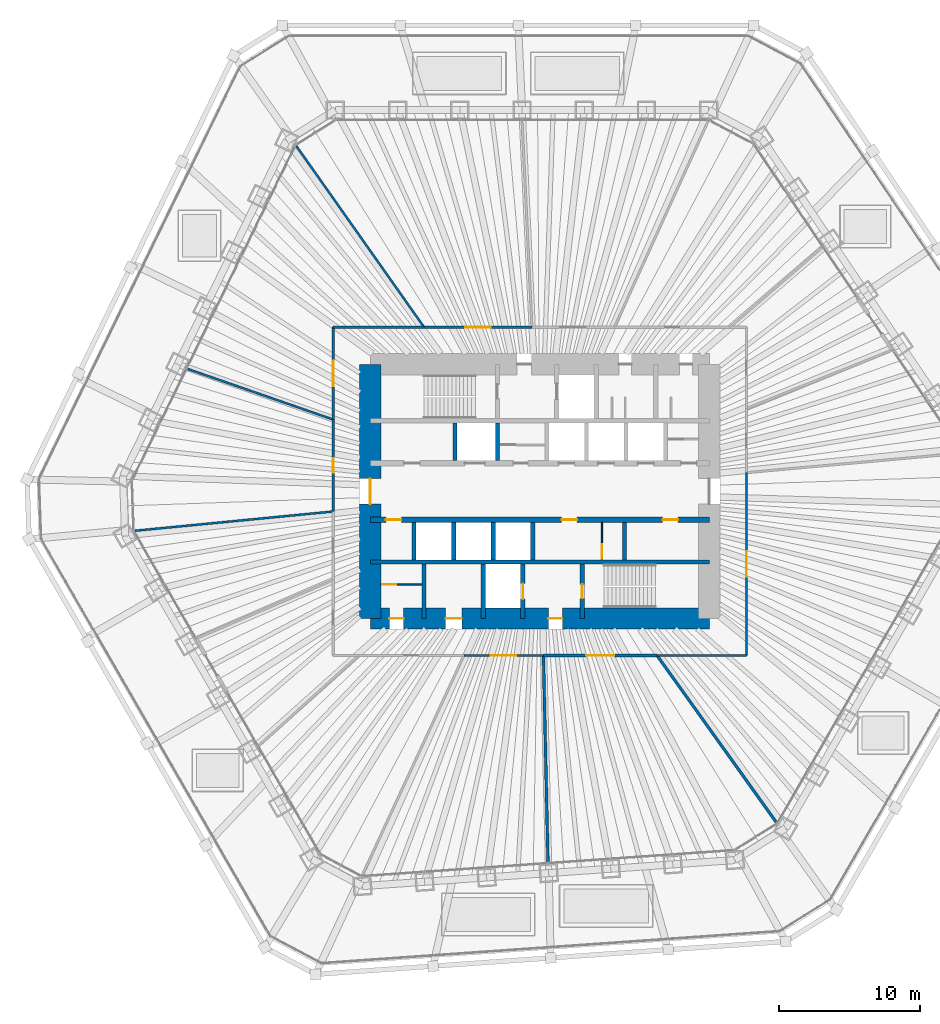
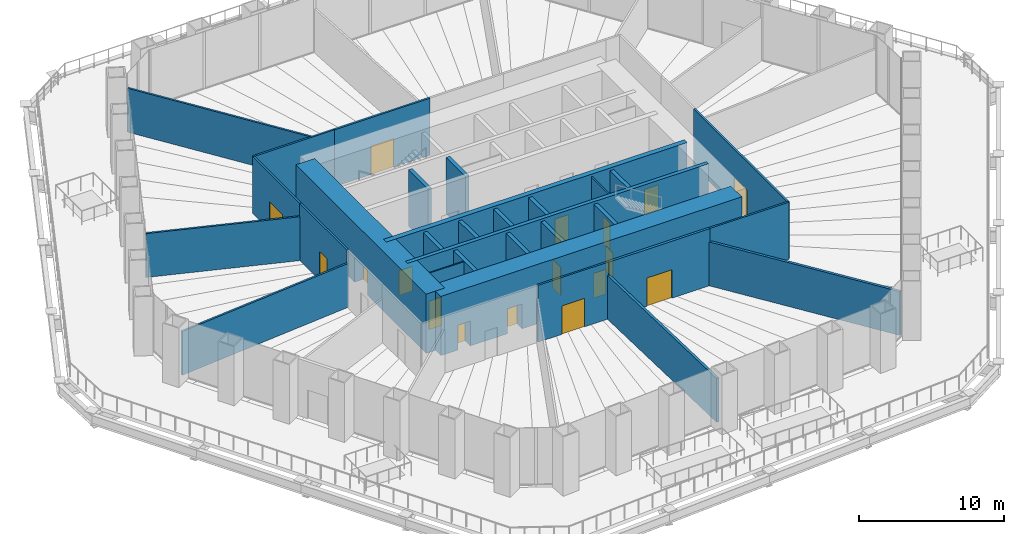
# One storey, part 15 of 20: 30 walls, 17 doors, 17 openings.
"""IFC4 building model written with IfcOpenShell, lengths in metres."""

from ifc_helpers import new_model, si_unit, direction, frame, frame_2d, origin, place, context, subcontext, project, spatial, rectangle, extrude, material, layer, layer_set, type_object, element, fill, save


model = new_model("IFC4")

# Units and contexts
model_context = context("Model", 3, precision=1e-05, world=origin(), true_north=direction((0.0, 1.0)))
body_context = subcontext(model_context, "Body", "Model", "MODEL_VIEW")
ifc_project = project(units=[si_unit("LENGTHUNIT", "METRE"), si_unit("AREAUNIT", "SQUARE_METRE"), si_unit("VOLUMEUNIT", "CUBIC_METRE"), si_unit("PLANEANGLEUNIT", "RADIAN"), si_unit("MASSUNIT", "GRAM", prefix="KILO")], contexts=[model_context])

# Site, building, storey
site_placement = place(None, origin())
site = spatial("IfcSite", under=ifc_project, at=site_placement, CompositionType="ELEMENT")
building_placement = place(site_placement, origin())
building = spatial("IfcBuilding", under=site, at=building_placement, Name="Qingtian Harvest Tower", CompositionType="ELEMENT")
storey_placement = place(building_placement, frame((0.0, 0.0, 17.0)))
storey = spatial("IfcBuildingStorey", under=building, at=storey_placement, Name="L03", CompositionType="ELEMENT", Elevation=17.0)

# Wall
ifc_material_1 = material(Name="Concrete fc' 70 MPa", Category="concrete")
ifc_layer_1 = layer(ifc_material_1, 0.300048828125)
ifc_layer_set_1 = layer_set([ifc_layer_1], Name="Core inner wall RC5 300")
wall_type_1 = type_object("IfcWallType", Name="Core inner wall RC5 300", PredefinedType="SHEAR", material=ifc_layer_set_1)
wall_1_placement = place(storey_placement, frame((-12.0, -5.0, 0.0), z_axis=(0.0, 0.0, 1.0), x_axis=(1.0, 0.0, 0.0)))
element("IfcWall", 1, at=wall_1_placement, inside=storey, type_object=wall_type_1, Name="Core wall IS5 L03", PredefinedType="SHEAR", context=body_context, shape_type="SweptSolid", body=[
    extrude(rectangle(XDim=24.0, YDim=0.300048828125, at=frame_2d((12.0, 0.0))), origin(), (0.0, 0.0, 1.0), 5.0),
])

# Wall, openings, doors
ifc_material_2 = material(Name="Concrete fc' 70 MPa", Category="concrete")
ifc_layer_2 = layer(ifc_material_2, 0.39990234375)
ifc_layer_set_2 = layer_set([ifc_layer_2], Name="Core inner web RC6 400")
wall_type_2 = type_object("IfcWallType", Name="Core inner web RC6 400", PredefinedType="SHEAR", material=ifc_layer_set_2)
wall_2_placement = place(storey_placement, frame((-12.0, -2.0, 0.0), z_axis=(0.0, 0.0, 1.0), x_axis=(1.0, 0.0, 0.0)))
wall_2 = element("IfcWall", 2, at=wall_2_placement, inside=storey, type_object=wall_type_2, Name="Core wall IS2 L03", PredefinedType="SHEAR", context=body_context, shape_type="SweptSolid", body=[
    extrude(rectangle(XDim=24.0, YDim=0.39990234375, at=frame_2d((12.0, 0.0))), origin(), (0.0, 0.0, 1.0), 5.0),
])
opening_1_placement = place(wall_2_placement, frame((1.10009765625, 0.0, 0.0)))
opening_1 = element("IfcOpeningElement", 3, at=opening_1_placement, cuts=wall_2, Name="Opening FD4", PredefinedType="OPENING", context=body_context, shape_type="SweptSolid", body=[
    extrude(rectangle(XDim=1.10009765625, YDim=2.10009765625, at=frame_2d((0.550048828125, 1.050048828125))), frame((0.0, 0.2099609375, 0.0), z_axis=(0.0, -1.0, 0.0), x_axis=(1.0, 0.0, 0.0)), (0.0, 0.0, 1.0), 0.419921875),
])
opening_2_placement = place(wall_2_placement, frame((13.550048828125, 0.0, 0.0)))
opening_2 = element("IfcOpeningElement", 4, at=opening_2_placement, cuts=wall_2, Name="Opening FD4", PredefinedType="OPENING", context=body_context, shape_type="SweptSolid", body=[
    extrude(rectangle(XDim=1.10009765625, YDim=2.10009765625, at=frame_2d((0.550048828125, 1.050048828125))), frame((0.0, 0.2099609375, 0.0), z_axis=(0.0, -1.0, 0.0), x_axis=(1.0, 0.0, 0.0)), (0.0, 0.0, 1.0), 0.419921875),
])
opening_3_placement = place(wall_2_placement, frame((20.699951171875, 0.0, 0.0)))
opening_3 = element("IfcOpeningElement", 5, at=opening_3_placement, cuts=wall_2, Name="Opening FD4", PredefinedType="OPENING", context=body_context, shape_type="SweptSolid", body=[
    extrude(rectangle(XDim=1.10009765625, YDim=2.10009765625, at=frame_2d((0.550048828125, 1.050048828125))), frame((0.0, 0.2099609375, 0.0), z_axis=(0.0, -1.0, 0.0), x_axis=(1.0, 0.0, 0.0)), (0.0, 0.0, 1.0), 0.419921875),
])
ifc_material_3 = material(Name="Steel-faced door leaf", Category="steel")
door_type_1 = type_object("IfcDoorType", Name="Fire door FD4 single 2 HR", OperationType="SINGLE_SWING_LEFT", PredefinedType="DOOR", material=ifc_material_3)
door_1_placement = place(opening_1_placement, origin())
door_1 = element("IfcDoor", 6, at=door_1_placement, inside=storey, type_object=door_type_1, Name="RB door L03", OperationType="SINGLE_SWING_LEFT", OverallHeight=2.10009765625, OverallWidth=1.10009765625, PredefinedType="DOOR", context=body_context, shape_type="SweptSolid", body=[
    extrude(rectangle(XDim=1.10009765625, YDim=2.10009765625, at=frame_2d((0.550048828125, 1.050048828125))), frame((0.0, 0.02490234375, 0.0), z_axis=(0.0, -1.0, 0.0), x_axis=(1.0, 0.0, 0.0)), (0.0, 0.0, 1.0), 0.050048828125),
])
fill(opening_1, door_1)
door_2_placement = place(opening_2_placement, origin())
door_2 = element("IfcDoor", 7, at=door_2_placement, inside=storey, type_object=door_type_1, Name="ELEC door L03", OperationType="SINGLE_SWING_RIGHT", OverallHeight=2.10009765625, OverallWidth=1.10009765625, PredefinedType="DOOR", context=body_context, shape_type="SweptSolid", body=[
    extrude(rectangle(XDim=1.10009765625, YDim=2.10009765625, at=frame_2d((0.550048828125, 1.050048828125))), frame((0.0, 0.02490234375, 0.0), z_axis=(0.0, -1.0, 0.0), x_axis=(1.0, 0.0, 0.0)), (0.0, 0.0, 1.0), 0.050048828125),
])
fill(opening_2, door_2)
door_3_placement = place(opening_3_placement, origin())
door_3 = element("IfcDoor", 8, at=door_3_placement, inside=storey, type_object=door_type_1, Name="DUCT door L03", OperationType="SINGLE_SWING_LEFT", OverallHeight=2.10009765625, OverallWidth=1.10009765625, PredefinedType="DOOR", context=body_context, shape_type="SweptSolid", body=[
    extrude(rectangle(XDim=1.10009765625, YDim=2.10009765625, at=frame_2d((0.550048828125, 1.050048828125))), frame((0.0, 0.02490234375, 0.0), z_axis=(0.0, -1.0, 0.0), x_axis=(1.0, 0.0, 0.0)), (0.0, 0.0, 1.0), 0.050048828125),
])
fill(opening_3, door_3)

# Walls
ifc_material_4 = material(Name="Precast concrete shaft panel", Category="concrete")
ifc_layer_3 = layer(ifc_material_4, 0.300048828125)
ifc_layer_set_3 = layer_set([ifc_layer_3], Name="Core shaft partition SW1 300")
wall_type_3 = type_object("IfcWallType", Name="Core shaft partition SW1 300", PredefinedType="PARTITIONING", material=ifc_layer_set_3)
for number, where, z_axis, x_axis, name in (
    (9, (-6.0, 2.199951171875, 0.0), (0.0, 0.0, 1.0), (0.0, 1.0, 0.0), "Core shaft partition XA1 L03"),
    (10, (-3.0, 2.199951171875, 0.0), (0.0, 0.0, 1.0), (0.0, 1.0, 0.0), "Core shaft partition XA2 L03"),
    (11, (-8.89990234375, -4.85009765625, 0.0), (0.0, 0.0, 1.0), (0.0, 1.0, 0.0), "Core shaft partition XB1 L03"),
    (12, (-6.10009765625, -4.85009765625, 0.0), (0.0, 0.0, 1.0), (0.0, 1.0, 0.0), "Core shaft partition XB2 L03"),
    (13, (-3.300048828125, -4.85009765625, 0.0), (0.0, 0.0, 1.0), (0.0, 1.0, 0.0), "Core shaft partition XB3 L03"),
    (14, (-0.5, -4.85009765625, 0.0), (0.0, 0.0, 1.0), (0.0, 1.0, 0.0), "Core shaft partition XB4 L03"),
    (15, (6.0, -4.85009765625, 0.0), (0.0, 0.0, 1.0), (0.0, 1.0, 0.0), "Core shaft partition XB5 L03"),
):
    element("IfcWall", number, at=place(storey_placement, frame(where, z_axis=z_axis, x_axis=x_axis)), inside=storey, type_object=wall_type_3, Name=name, PredefinedType="PARTITIONING", context=body_context, shape_type="SweptSolid", body=[
        extrude(rectangle(XDim=2.650146484375, YDim=0.300048828125, at=frame_2d((1.3251953125, 0.0))), origin(), (0.0, 0.0, 1.0), 4.780029296875),
    ])
for number, where, z_axis, x_axis, name in (
    (16, (-8.199951171875, -9.0, 0.0), (0.0, 0.0, 1.0), (0.0, 1.0, 0.0), "Core shaft partition XS1 L03"),
    (17, (-4.0, -9.0, 0.0), (0.0, 0.0, 1.0), (0.0, 1.0, 0.0), "Core shaft partition XS2 L03"),
):
    element("IfcWall", number, at=place(storey_placement, frame(where, z_axis=z_axis, x_axis=x_axis)), inside=storey, type_object=wall_type_3, Name=name, PredefinedType="PARTITIONING", context=body_context, shape_type="SweptSolid", body=[
        extrude(rectangle(XDim=3.85009765625, YDim=0.300048828125, at=frame_2d((1.925048828125, 0.0))), origin(), (0.0, 0.0, 1.0), 4.780029296875),
    ])

# Wall, opening, door
wall_3_placement = place(storey_placement, frame((-1.199951171875, -9.0, 0.0), z_axis=(0.0, 0.0, 1.0), x_axis=(0.0, 1.0, 0.0)))
wall_3 = element("IfcWall", 18, at=wall_3_placement, inside=storey, type_object=wall_type_3, Name="Core shaft partition XS3 L03", PredefinedType="PARTITIONING", context=body_context, shape_type="SweptSolid", body=[
    extrude(rectangle(XDim=3.85009765625, YDim=0.300048828125, at=frame_2d((1.925048828125, 0.0))), origin(), (0.0, 0.0, 1.0), 4.780029296875),
])
opening_4_placement = place(wall_3_placement, frame((1.375, 0.0, 0.0)))
opening_4 = element("IfcOpeningElement", 19, at=opening_4_placement, cuts=wall_3, Name="Opening LD1", PredefinedType="OPENING", context=body_context, shape_type="SweptSolid", body=[
    extrude(rectangle(XDim=1.10009765625, YDim=2.39990234375, at=frame_2d((0.550048828125, 1.199951171875))), frame((0.0, 0.159912109375, 0.0), z_axis=(0.0, -1.0, 0.0), x_axis=(1.0, 0.0, 0.0)), (0.0, 0.0, 1.0), 0.320068359375),
])
ifc_material_5 = material(Name="Stainless steel lift landing door", Category="steel")
door_type_2 = type_object("IfcDoorType", Name="Lift landing door LD1 1 HR", OperationType="DOUBLE_DOOR_SLIDING", PredefinedType="DOOR", material=ifc_material_5)
door_4_placement = place(opening_4_placement, origin())
door_4 = element("IfcDoor", 20, at=door_4_placement, inside=storey, type_object=door_type_2, Name="FL2 landing door L03", OperationType="DOUBLE_DOOR_SLIDING", OverallHeight=2.39990234375, OverallWidth=1.10009765625, PredefinedType="DOOR", context=body_context, shape_type="SweptSolid", body=[
    extrude(rectangle(XDim=1.10009765625, YDim=2.39990234375, at=frame_2d((0.550048828125, 1.199951171875))), frame((0.0, 0.02490234375, 0.0), z_axis=(0.0, -1.0, 0.0), x_axis=(1.0, 0.0, 0.0)), (0.0, 0.0, 1.0), 0.050048828125),
])
fill(opening_4, door_4)

wall_4_placement = place(storey_placement, frame((3.0, -9.0, 0.0), z_axis=(0.0, 0.0, 1.0), x_axis=(0.0, 1.0, 0.0)))
wall_4 = element("IfcWall", 21, at=wall_4_placement, inside=storey, type_object=wall_type_3, Name="Core shaft partition XS4 L03", PredefinedType="PARTITIONING", context=body_context, shape_type="SweptSolid", body=[
    extrude(rectangle(XDim=3.85009765625, YDim=0.300048828125, at=frame_2d((1.925048828125, 0.0))), origin(), (0.0, 0.0, 1.0), 4.780029296875),
])
opening_5_placement = place(wall_4_placement, frame((1.425048828125, 0.0, 0.0)))
opening_5 = element("IfcOpeningElement", 22, at=opening_5_placement, cuts=wall_4, Name="Opening FD1", PredefinedType="OPENING", context=body_context, shape_type="SweptSolid", body=[
    extrude(rectangle(XDim=1.0, YDim=2.10009765625, at=frame_2d((0.5, 1.050048828125))), frame((0.0, 0.159912109375, 0.0), z_axis=(0.0, -1.0, 0.0), x_axis=(1.0, 0.0, 0.0)), (0.0, 0.0, 1.0), 0.320068359375),
])
ifc_material_6 = material(Name="Steel-faced door leaf", Category="steel")
door_type_3 = type_object("IfcDoorType", Name="Fire door FD1 single 1 HR", OperationType="SINGLE_SWING_LEFT", PredefinedType="DOOR", material=ifc_material_6)
door_5_placement = place(opening_5_placement, origin())
door_5 = element("IfcDoor", 23, at=door_5_placement, inside=storey, type_object=door_type_3, Name="S2 door L03", OperationType="SINGLE_SWING_LEFT", OverallHeight=2.10009765625, OverallWidth=1.0, PredefinedType="DOOR", context=body_context, shape_type="SweptSolid", body=[
    extrude(rectangle(XDim=1.0, YDim=2.10009765625, at=frame_2d((0.5, 1.050048828125))), frame((0.0, 0.02490234375, 0.0), z_axis=(0.0, -1.0, 0.0), x_axis=(1.0, 0.0, 0.0)), (0.0, 0.0, 1.0), 0.050048828125),
])
fill(opening_5, door_5)

# Wall, openings, doors
ifc_material_7 = material(Name="Concrete fc' 70 MPa", Category="concrete")
ifc_layer_4 = layer(ifc_material_7, 1.5)
ifc_layer_set_4 = layer_set([ifc_layer_4], Name="Core wall RC1 1500")
wall_type_4 = type_object("IfcWallType", Name="Core wall RC1 1500", PredefinedType="SHEAR", material=ifc_layer_set_4)
wall_5_placement = place(storey_placement, frame((-12.0, -9.0, 0.0), z_axis=(0.0, 0.0, 1.0), x_axis=(1.0, 0.0, 0.0)))
wall_5 = element("IfcWall", 24, at=wall_5_placement, inside=storey, type_object=wall_type_4, Name="Core wall CS L03", PredefinedType="SHEAR", context=body_context, shape_type="SweptSolid", body=[
    extrude(rectangle(XDim=24.0, YDim=1.5, at=frame_2d((12.0, 0.0))), origin(), (0.0, 0.0, 1.0), 5.0),
])
opening_6_placement = place(wall_5_placement, frame((1.35009765625, 0.0, 0.0)))
opening_6 = element("IfcOpeningElement", 25, at=opening_6_placement, cuts=wall_5, Name="Opening FD1", PredefinedType="OPENING", context=body_context, shape_type="SweptSolid", body=[
    extrude(rectangle(XDim=1.0, YDim=2.10009765625, at=frame_2d((0.5, 1.050048828125))), frame((0.0, 0.760009765625, 0.0), z_axis=(0.0, -1.0, 0.0), x_axis=(1.0, 0.0, 0.0)), (0.0, 0.0, 1.0), 1.52001953125),
])
opening_7_placement = place(wall_5_placement, frame((5.324951171875, 0.0, 0.0)))
opening_7 = element("IfcOpeningElement", 26, at=opening_7_placement, cuts=wall_5, Name="Opening AD1", PredefinedType="OPENING", context=body_context, shape_type="SweptSolid", body=[
    extrude(rectangle(XDim=1.14990234375, YDim=2.10009765625, at=frame_2d((0.574951171875, 1.050048828125))), frame((0.0, 0.760009765625, 0.0), z_axis=(0.0, -1.0, 0.0), x_axis=(1.0, 0.0, 0.0)), (0.0, 0.0, 1.0), 1.52001953125),
])
opening_8_placement = place(wall_5_placement, frame((12.60009765625, 0.0, 0.0)))
opening_8 = element("IfcOpeningElement", 27, at=opening_8_placement, cuts=wall_5, Name="Opening FD1", PredefinedType="OPENING", context=body_context, shape_type="SweptSolid", body=[
    extrude(rectangle(XDim=1.0, YDim=2.10009765625, at=frame_2d((0.5, 1.050048828125))), frame((0.0, 0.760009765625, 0.0), z_axis=(0.0, -1.0, 0.0), x_axis=(1.0, 0.0, 0.0)), (0.0, 0.0, 1.0), 1.52001953125),
])
ifc_material_8 = material(Name="Laminated timber door leaf", Category="wood")
door_type_4 = type_object("IfcDoorType", Name="Accessible WC door AD1 single", OperationType="SINGLE_SWING_LEFT", PredefinedType="DOOR", material=ifc_material_8)
door_6_placement = place(opening_7_placement, origin())
door_6 = element("IfcDoor", 28, at=door_6_placement, inside=storey, type_object=door_type_4, Name="AWC door L03", OperationType="SINGLE_SWING_RIGHT", OverallHeight=2.10009765625, OverallWidth=1.14990234375, PredefinedType="DOOR", context=body_context, shape_type="SweptSolid", body=[
    extrude(rectangle(XDim=1.14990234375, YDim=2.10009765625, at=frame_2d((0.574951171875, 1.050048828125))), frame((0.0, 0.02490234375, 0.0), z_axis=(0.0, -1.0, 0.0), x_axis=(1.0, 0.0, 0.0)), (0.0, 0.0, 1.0), 0.050048828125),
])
fill(opening_7, door_6)
door_7_placement = place(opening_6_placement, origin())
door_7 = element("IfcDoor", 29, at=door_7_placement, inside=storey, type_object=door_type_3, Name="CLN door L03", OperationType="SINGLE_SWING_LEFT", OverallHeight=2.10009765625, OverallWidth=1.0, PredefinedType="DOOR", context=body_context, shape_type="SweptSolid", body=[
    extrude(rectangle(XDim=1.0, YDim=2.10009765625, at=frame_2d((0.5, 1.050048828125))), frame((0.0, 0.02490234375, 0.0), z_axis=(0.0, -1.0, 0.0), x_axis=(1.0, 0.0, 0.0)), (0.0, 0.0, 1.0), 0.050048828125),
])
fill(opening_6, door_7)
door_8_placement = place(opening_8_placement, origin())
door_8 = element("IfcDoor", 30, at=door_8_placement, inside=storey, type_object=door_type_3, Name="V2 door L03", OperationType="SINGLE_SWING_RIGHT", OverallHeight=2.10009765625, OverallWidth=1.0, PredefinedType="DOOR", context=body_context, shape_type="SweptSolid", body=[
    extrude(rectangle(XDim=1.0, YDim=2.10009765625, at=frame_2d((0.5, 1.050048828125))), frame((0.0, 0.02490234375, 0.0), z_axis=(0.0, -1.0, 0.0), x_axis=(1.0, 0.0, 0.0)), (0.0, 0.0, 1.0), 0.050048828125),
])
fill(opening_8, door_8)

# Wall, opening, door
wall_6_placement = place(storey_placement, frame((-12.0, -9.0, 0.0), z_axis=(0.0, 0.0, 1.0), x_axis=(0.0, 1.0, 0.0)))
wall_6 = element("IfcWall", 31, at=wall_6_placement, inside=storey, type_object=wall_type_4, Name="Core wall CW L03", PredefinedType="SHEAR", context=body_context, shape_type="SweptSolid", body=[
    extrude(rectangle(XDim=18.0, YDim=1.5, at=frame_2d((9.0, 0.0))), origin(), (0.0, 0.0, 1.0), 5.0),
])
opening_9_placement = place(wall_6_placement, frame((8.10009765625, 0.0, 0.0)))
opening_9 = element("IfcOpeningElement", 32, at=opening_9_placement, cuts=wall_6, Name="Opening FD2", PredefinedType="OPENING", context=body_context, shape_type="SweptSolid", body=[
    extrude(rectangle(XDim=1.800048828125, YDim=2.10009765625, at=frame_2d((0.89990234375, 1.050048828125))), frame((0.0, 0.760009765625, 0.0), z_axis=(0.0, -1.0, 0.0), x_axis=(1.0, 0.0, 0.0)), (0.0, 0.0, 1.0), 1.52001953125),
])
ifc_material_9 = material(Name="Steel-faced door leaf", Category="steel")
door_type_5 = type_object("IfcDoorType", Name="Fire door FD2 double 1 HR", OperationType="DOUBLE_DOOR_DOUBLE_SWING", PredefinedType="DOOR", material=ifc_material_9)
door_9_placement = place(opening_9_placement, origin())
door_9 = element("IfcDoor", 33, at=door_9_placement, inside=storey, type_object=door_type_5, Name="LOBBY-W door L03", OperationType="DOUBLE_DOOR_DOUBLE_SWING", OverallHeight=2.10009765625, OverallWidth=1.800048828125, PredefinedType="DOOR", context=body_context, shape_type="SweptSolid", body=[
    extrude(rectangle(XDim=1.800048828125, YDim=2.10009765625, at=frame_2d((0.89990234375, 1.050048828125))), frame((0.0, 0.02490234375, 0.0), z_axis=(0.0, -1.0, 0.0), x_axis=(1.0, 0.0, 0.0)), (0.0, 0.0, 1.0), 0.050048828125),
])
fill(opening_9, door_9)

# Wall
ifc_material_10 = material(Name="Blockwork fire wall", Category="masonry")
ifc_layer_5 = layer(ifc_material_10, 0.199951171875)
ifc_layer_set_5 = layer_set([ifc_layer_5], Name="Fire partition FW1 200")
wall_type_5 = type_object("IfcWallType", Name="Fire partition FW1 200", PredefinedType="PARTITIONING", material=ifc_layer_set_5)
wall_7_placement = place(storey_placement, frame((16.740234375, -23.423095703125, 0.0), z_axis=(0.0, 0.0, 1.0), x_axis=(-0.581451576506, 0.813581012671, 0.0)))
element("IfcWall", 34, at=wall_7_placement, inside=storey, type_object=wall_type_5, Name="Cold room wall L03", PredefinedType="PARTITIONING", context=body_context, shape_type="SweptSolid", body=[
    extrude(rectangle(XDim=14.50146484375, YDim=0.199951171875, at=frame_2d((7.250732421875, 0.0))), origin(), (0.0, 0.0, 1.0), 3.699951171875),
])

# Wall, opening, door
wall_8_placement = place(storey_placement, frame((8.308349609375, -11.625, 0.0), z_axis=(0.0, 0.0, 1.0), x_axis=(-1.0, 0.0, 0.0)))
wall_8 = element("IfcWall", 35, at=wall_8_placement, inside=storey, type_object=wall_type_5, Name="Cold room wall L03", PredefinedType="PARTITIONING", context=body_context, shape_type="SweptSolid", body=[
    extrude(rectangle(XDim=8.05224609375, YDim=0.199951171875, at=frame_2d((4.026123046875, 0.0))), origin(), (0.0, 0.0, 1.0), 4.800048828125),
])
opening_10_placement = place(wall_8_placement, frame((3.026123046875, 0.0, 0.0)))
opening_10 = element("IfcOpeningElement", 36, at=opening_10_placement, cuts=wall_8, Name="Opening FD3", PredefinedType="OPENING", context=body_context, shape_type="SweptSolid", body=[
    extrude(rectangle(XDim=2.0, YDim=2.39990234375, at=frame_2d((1.0, 1.199951171875))), frame((0.0, 0.10986328125, 0.0), z_axis=(0.0, -1.0, 0.0), x_axis=(1.0, 0.0, 0.0)), (0.0, 0.0, 1.0), 0.219970703125),
])
ifc_material_11 = material(Name="Steel-faced door leaf", Category="steel")
door_type_6 = type_object("IfcDoorType", Name="Fire door FD3 double 2 HR", OperationType="DOUBLE_DOOR_DOUBLE_SWING", PredefinedType="DOOR", material=ifc_material_11)
door_10_placement = place(opening_10_placement, origin())
door_10 = element("IfcDoor", 37, at=door_10_placement, inside=storey, type_object=door_type_6, Name="Cold room door L03", OperationType="DOUBLE_DOOR_DOUBLE_SWING", OverallHeight=2.39990234375, OverallWidth=2.0, PredefinedType="DOOR", context=body_context, shape_type="SweptSolid", body=[
    extrude(rectangle(XDim=2.0, YDim=2.39990234375, at=frame_2d((1.0, 1.199951171875))), frame((0.0, 0.02490234375, 0.0), z_axis=(0.0, -1.0, 0.0), x_axis=(1.0, 0.0, 0.0)), (0.0, 0.0, 1.0), 0.050048828125),
])
fill(opening_10, door_10)

# Walls
wall_9_placement = place(storey_placement, frame((0.577880859375, -26.2236328125, 0.0), z_axis=(0.0, 0.0, 1.0), x_axis=(-0.02203625582, 0.999757172232, 0.0)))
element("IfcWall", 38, at=wall_9_placement, inside=storey, type_object=wall_type_5, Name="Produce market wall L03", PredefinedType="PARTITIONING", context=body_context, shape_type="SweptSolid", body=[
    extrude(rectangle(XDim=14.602294921875, YDim=0.199951171875, at=frame_2d((7.30126953125, 0.0))), origin(), (0.0, 0.0, 1.0), 3.699951171875),
])
ifc_material_12 = material(Name="Gypsum board on steel studs", Category="steel")
ifc_layer_6 = layer(ifc_material_12, 0.14990234375)
ifc_layer_set_6 = layer_set([ifc_layer_6], Name="Partition PT1 150")
wall_type_6 = type_object("IfcWallType", Name="Partition PT1 150", PredefinedType="PARTITIONING", material=ifc_layer_set_6)
wall_10_placement = place(storey_placement, frame((-17.23681640625, 24.454345703125, 0.0), z_axis=(0.0, 0.0, 1.0), x_axis=(0.576128572739, -0.817359081233, 0.0)))
element("IfcWall", 39, at=wall_10_placement, inside=storey, type_object=wall_type_6, Name="Farm shop wall L03", PredefinedType="PARTITIONING", context=body_context, shape_type="SweptSolid", body=[
    extrude(rectangle(XDim=15.696044921875, YDim=0.14990234375, at=frame_2d((7.84814453125, 0.0))), origin(), (0.0, 0.0, 1.0), 3.699951171875),
])

# Wall, opening, door
wall_11_placement = place(storey_placement, frame((-8.19384765625, 11.625, 0.0), z_axis=(0.0, 0.0, 1.0), x_axis=(1.0, 0.0, 0.0)))
wall_11 = element("IfcWall", 40, at=wall_11_placement, inside=storey, type_object=wall_type_6, Name="Farm shop wall L03", PredefinedType="PARTITIONING", context=body_context, shape_type="SweptSolid", body=[
    extrude(rectangle(XDim=7.637939453125, YDim=0.14990234375, at=frame_2d((3.81884765625, 0.0))), origin(), (0.0, 0.0, 1.0), 4.800048828125),
])
opening_11_placement = place(wall_11_placement, frame((2.9189453125, 0.0, 0.0)))
opening_11 = element("IfcOpeningElement", 41, at=opening_11_placement, cuts=wall_11, Name="Opening D3", PredefinedType="OPENING", context=body_context, shape_type="SweptSolid", body=[
    extrude(rectangle(XDim=1.800048828125, YDim=2.39990234375, at=frame_2d((0.89990234375, 1.199951171875))), frame((0.0, 0.0849609375, 0.0), z_axis=(0.0, -1.0, 0.0), x_axis=(1.0, 0.0, 0.0)), (0.0, 0.0, 1.0), 0.169921875),
])
ifc_material_13 = material(Name="Laminated timber door leaf", Category="wood")
door_type_7 = type_object("IfcDoorType", Name="Room door D3 double", OperationType="DOUBLE_DOOR_DOUBLE_SWING", PredefinedType="DOOR", material=ifc_material_13)
door_11_placement = place(opening_11_placement, origin())
door_11 = element("IfcDoor", 42, at=door_11_placement, inside=storey, type_object=door_type_7, Name="Farm shop door L03", OperationType="DOUBLE_DOOR_DOUBLE_SWING", OverallHeight=2.39990234375, OverallWidth=1.800048828125, PredefinedType="DOOR", context=body_context, shape_type="SweptSolid", body=[
    extrude(rectangle(XDim=1.800048828125, YDim=2.39990234375, at=frame_2d((0.89990234375, 1.199951171875))), frame((0.0, 0.02490234375, 0.0), z_axis=(0.0, -1.0, 0.0), x_axis=(1.0, 0.0, 0.0)), (0.0, 0.0, 1.0), 0.050048828125),
])
fill(opening_11, door_11)

wall_12_placement = place(storey_placement, frame((14.625, 1.325439453125, 0.0), z_axis=(0.0, 0.0, 1.0), x_axis=(0.0, -1.0, 0.0)))
wall_12 = element("IfcWall", 43, at=wall_12_placement, inside=storey, type_object=wall_type_6, Name="Packing room wall L03", PredefinedType="PARTITIONING", context=body_context, shape_type="SweptSolid", body=[
    extrude(rectangle(XDim=12.950439453125, YDim=0.14990234375, at=frame_2d((6.47509765625, 0.0))), origin(), (0.0, 0.0, 1.0), 4.800048828125),
])
opening_12_placement = place(wall_12_placement, frame((5.5751953125, 0.0, 0.0)))
opening_12 = element("IfcOpeningElement", 44, at=opening_12_placement, cuts=wall_12, Name="Opening D3", PredefinedType="OPENING", context=body_context, shape_type="SweptSolid", body=[
    extrude(rectangle(XDim=1.800048828125, YDim=2.39990234375, at=frame_2d((0.89990234375, 1.199951171875))), frame((0.0, 0.0849609375, 0.0), z_axis=(0.0, -1.0, 0.0), x_axis=(1.0, 0.0, 0.0)), (0.0, 0.0, 1.0), 0.169921875),
])
door_12_placement = place(opening_12_placement, origin())
door_12 = element("IfcDoor", 45, at=door_12_placement, inside=storey, type_object=door_type_7, Name="Packing room door L03", OperationType="DOUBLE_DOOR_DOUBLE_SWING", OverallHeight=2.39990234375, OverallWidth=1.800048828125, PredefinedType="DOOR", context=body_context, shape_type="SweptSolid", body=[
    extrude(rectangle(XDim=1.800048828125, YDim=2.39990234375, at=frame_2d((0.89990234375, 1.199951171875))), frame((0.0, 0.02490234375, 0.0), z_axis=(0.0, -1.0, 0.0), x_axis=(1.0, 0.0, 0.0)), (0.0, 0.0, 1.0), 0.050048828125),
])
fill(opening_12, door_12)

# Wall
wall_13_placement = place(storey_placement, frame((14.625, -11.625, 0.0), z_axis=(0.0, 0.0, 1.0), x_axis=(-1.0, 0.0, 0.0)))
element("IfcWall", 46, at=wall_13_placement, inside=storey, type_object=wall_type_6, Name="Packing room wall L03", PredefinedType="PARTITIONING", context=body_context, shape_type="SweptSolid", body=[
    extrude(rectangle(XDim=6.316650390625, YDim=0.14990234375, at=frame_2d((3.158203125, 0.0))), origin(), (0.0, 0.0, 1.0), 4.800048828125),
])

# Wall, opening, door
wall_14_placement = place(storey_placement, frame((0.256103515625, -11.625, 0.0), z_axis=(0.0, 0.0, 1.0), x_axis=(-1.0, 0.0, 0.0)))
wall_14 = element("IfcWall", 47, at=wall_14_placement, inside=storey, type_object=wall_type_6, Name="Produce market wall L03", PredefinedType="PARTITIONING", context=body_context, shape_type="SweptSolid", body=[
    extrude(rectangle(XDim=5.6328125, YDim=0.14990234375, at=frame_2d((2.81640625, 0.0))), origin(), (0.0, 0.0, 1.0), 4.800048828125),
])
opening_13_placement = place(wall_14_placement, frame((1.91650390625, 0.0, 0.0)))
opening_13 = element("IfcOpeningElement", 48, at=opening_13_placement, cuts=wall_14, Name="Opening D3", PredefinedType="OPENING", context=body_context, shape_type="SweptSolid", body=[
    extrude(rectangle(XDim=1.800048828125, YDim=2.39990234375, at=frame_2d((0.89990234375, 1.199951171875))), frame((0.0, 0.0849609375, 0.0), z_axis=(0.0, -1.0, 0.0), x_axis=(1.0, 0.0, 0.0)), (0.0, 0.0, 1.0), 0.169921875),
])
door_13_placement = place(opening_13_placement, origin())
door_13 = element("IfcDoor", 49, at=door_13_placement, inside=storey, type_object=door_type_7, Name="Produce market door L03", OperationType="DOUBLE_DOOR_DOUBLE_SWING", OverallHeight=2.39990234375, OverallWidth=1.800048828125, PredefinedType="DOOR", context=body_context, shape_type="SweptSolid", body=[
    extrude(rectangle(XDim=1.800048828125, YDim=2.39990234375, at=frame_2d((0.89990234375, 1.199951171875))), frame((0.0, 0.02490234375, 0.0), z_axis=(0.0, -1.0, 0.0), x_axis=(1.0, 0.0, 0.0)), (0.0, 0.0, 1.0), 0.050048828125),
])
fill(opening_13, door_13)

# Wall
wall_15_placement = place(storey_placement, frame((-28.655029296875, -2.785888671875, 0.0), z_axis=(0.0, 0.0, 1.0), x_axis=(0.995307277605, 0.096764782571, 0.0)))
element("IfcWall", 50, at=wall_15_placement, inside=storey, type_object=wall_type_6, Name="Gowning room wall L03", PredefinedType="PARTITIONING", context=body_context, shape_type="SweptSolid", body=[
    extrude(rectangle(XDim=14.09619140625, YDim=0.14990234375, at=frame_2d((7.048095703125, 0.0))), origin(), (0.0, 0.0, 1.0), 3.699951171875),
])

# Wall, opening, door
wall_16_placement = place(storey_placement, frame((-14.625, -1.421875, 0.0), z_axis=(0.0, 0.0, 1.0), x_axis=(0.0, 1.0, 0.0)))
wall_16 = element("IfcWall", 51, at=wall_16_placement, inside=storey, type_object=wall_type_6, Name="Gowning room wall L03", PredefinedType="PARTITIONING", context=body_context, shape_type="SweptSolid", body=[
    extrude(rectangle(XDim=6.508056640625, YDim=0.14990234375, at=frame_2d((3.25390625, 0.0))), origin(), (0.0, 0.0, 1.0), 4.800048828125),
])
opening_14_placement = place(wall_16_placement, frame((2.754150390625, 0.0, 0.0)))
opening_14 = element("IfcOpeningElement", 52, at=opening_14_placement, cuts=wall_16, Name="Opening D2", PredefinedType="OPENING", context=body_context, shape_type="SweptSolid", body=[
    extrude(rectangle(XDim=1.0, YDim=2.39990234375, at=frame_2d((0.5, 1.199951171875))), frame((0.0, 0.0849609375, 0.0), z_axis=(0.0, -1.0, 0.0), x_axis=(1.0, 0.0, 0.0)), (0.0, 0.0, 1.0), 0.169921875),
])
ifc_material_14 = material(Name="Laminated timber door leaf", Category="wood")
door_type_8 = type_object("IfcDoorType", Name="Room door D2 single", OperationType="SINGLE_SWING_LEFT", PredefinedType="DOOR", material=ifc_material_14)
door_14_placement = place(opening_14_placement, origin())
door_14 = element("IfcDoor", 53, at=door_14_placement, inside=storey, type_object=door_type_8, Name="Gowning room door L03", OperationType="SINGLE_SWING_RIGHT", OverallHeight=2.39990234375, OverallWidth=1.0, PredefinedType="DOOR", context=body_context, shape_type="SweptSolid", body=[
    extrude(rectangle(XDim=1.0, YDim=2.39990234375, at=frame_2d((0.5, 1.199951171875))), frame((0.0, 0.02490234375, 0.0), z_axis=(0.0, -1.0, 0.0), x_axis=(1.0, 0.0, 0.0)), (0.0, 0.0, 1.0), 0.050048828125),
])
fill(opening_14, door_14)

# Wall
wall_17_placement = place(storey_placement, frame((-24.92333984375, 8.66796875, 0.0), z_axis=(0.0, 0.0, 1.0), x_axis=(0.944503744172, -0.328500650295, 0.0)))
element("IfcWall", 54, at=wall_17_placement, inside=storey, type_object=wall_type_6, Name="Microgreens growing room wall L03", PredefinedType="PARTITIONING", context=body_context, shape_type="SweptSolid", body=[
    extrude(rectangle(XDim=10.9033203125, YDim=0.14990234375, at=frame_2d((5.45166015625, 0.0))), origin(), (0.0, 0.0, 1.0), 3.699951171875),
])

# Wall, opening, door
wall_18_placement = place(storey_placement, frame((-14.625, 5.086181640625, 0.0), z_axis=(0.0, 0.0, 1.0), x_axis=(0.0, 1.0, 0.0)))
wall_18 = element("IfcWall", 55, at=wall_18_placement, inside=storey, type_object=wall_type_6, Name="Microgreens growing room wall L03", PredefinedType="PARTITIONING", context=body_context, shape_type="SweptSolid", body=[
    extrude(rectangle(XDim=6.538818359375, YDim=0.14990234375, at=frame_2d((3.26953125, 0.0))), origin(), (0.0, 0.0, 1.0), 4.800048828125),
])
opening_15_placement = place(wall_18_placement, frame((2.369384765625, 0.0, 0.0)))
opening_15 = element("IfcOpeningElement", 56, at=opening_15_placement, cuts=wall_18, Name="Opening D3", PredefinedType="OPENING", context=body_context, shape_type="SweptSolid", body=[
    extrude(rectangle(XDim=1.800048828125, YDim=2.39990234375, at=frame_2d((0.89990234375, 1.199951171875))), frame((0.0, 0.0849609375, 0.0), z_axis=(0.0, -1.0, 0.0), x_axis=(1.0, 0.0, 0.0)), (0.0, 0.0, 1.0), 0.169921875),
])
door_15_placement = place(opening_15_placement, origin())
door_15 = element("IfcDoor", 57, at=door_15_placement, inside=storey, type_object=door_type_7, Name="Microgreens growing room door L03", OperationType="DOUBLE_DOOR_DOUBLE_SWING", OverallHeight=2.39990234375, OverallWidth=1.800048828125, PredefinedType="DOOR", context=body_context, shape_type="SweptSolid", body=[
    extrude(rectangle(XDim=1.800048828125, YDim=2.39990234375, at=frame_2d((0.89990234375, 1.199951171875))), frame((0.0, 0.02490234375, 0.0), z_axis=(0.0, -1.0, 0.0), x_axis=(1.0, 0.0, 0.0)), (0.0, 0.0, 1.0), 0.050048828125),
])
fill(opening_15, door_15)

# Wall
wall_19_placement = place(storey_placement, frame((-14.625, 11.625, 0.0), z_axis=(0.0, 0.0, 1.0), x_axis=(1.0, 0.0, 0.0)))
element("IfcWall", 58, at=wall_19_placement, inside=storey, type_object=wall_type_6, Name="Microgreens growing room wall L03", PredefinedType="PARTITIONING", context=body_context, shape_type="SweptSolid", body=[
    extrude(rectangle(XDim=6.43115234375, YDim=0.14990234375, at=frame_2d((3.215576171875, 0.0))), origin(), (0.0, 0.0, 1.0), 4.800048828125),
])

# Wall, opening, door
ifc_material_15 = material(Name="Concrete block partition", Category="concrete")
ifc_layer_7 = layer(ifc_material_15, 0.10009765625)
ifc_layer_set_7 = layer_set([ifc_layer_7], Name="Store partition PT3 100")
wall_type_7 = type_object("IfcWallType", Name="Store partition PT3 100", PredefinedType="PARTITIONING", material=ifc_layer_set_7)
wall_20_placement = place(storey_placement, frame((4.39990234375, -4.85009765625, 0.0), z_axis=(0.0, 0.0, 1.0), x_axis=(0.0, 1.0, 0.0)))
wall_20 = element("IfcWall", 59, at=wall_20_placement, inside=storey, type_object=wall_type_7, Name="Control room wall L03", PredefinedType="PARTITIONING", context=body_context, shape_type="SweptSolid", body=[
    extrude(rectangle(XDim=2.650146484375, YDim=0.10009765625, at=frame_2d((1.3251953125, 0.0))), origin(), (0.0, 0.0, 1.0), 4.780029296875),
])
opening_16_placement = place(wall_20_placement, frame((0.10009765625, 0.0, 0.0)))
opening_16 = element("IfcOpeningElement", 60, at=opening_16_placement, cuts=wall_20, Name="Opening D2", PredefinedType="OPENING", context=body_context, shape_type="SweptSolid", body=[
    extrude(rectangle(XDim=1.0, YDim=2.39990234375, at=frame_2d((0.5, 1.199951171875))), frame((0.0, 0.06005859375, 0.0), z_axis=(0.0, -1.0, 0.0), x_axis=(1.0, 0.0, 0.0)), (0.0, 0.0, 1.0), 0.1201171875),
])
door_16_placement = place(opening_16_placement, origin())
door_16 = element("IfcDoor", 61, at=door_16_placement, inside=storey, type_object=door_type_8, Name="Control room door L03", OperationType="SINGLE_SWING_RIGHT", OverallHeight=2.39990234375, OverallWidth=1.0, PredefinedType="DOOR", context=body_context, shape_type="SweptSolid", body=[
    extrude(rectangle(XDim=1.0, YDim=2.39990234375, at=frame_2d((0.5, 1.199951171875))), frame((0.0, 0.02490234375, 0.0), z_axis=(0.0, -1.0, 0.0), x_axis=(1.0, 0.0, 0.0)), (0.0, 0.0, 1.0), 0.050048828125),
])
fill(opening_16, door_16)

wall_21_placement = place(storey_placement, frame((-11.25, -6.60009765625, 0.0), z_axis=(0.0, 0.0, 1.0), x_axis=(1.0, 0.0, 0.0)))
wall_21 = element("IfcWall", 62, at=wall_21_placement, inside=storey, type_object=wall_type_7, Name="Chemical store wall L03", PredefinedType="PARTITIONING", context=body_context, shape_type="SweptSolid", body=[
    extrude(rectangle(XDim=2.89990234375, YDim=0.10009765625, at=frame_2d((1.449951171875, 0.0))), origin(), (0.0, 0.0, 1.0), 4.780029296875),
])
opening_17_placement = place(wall_21_placement, frame((0.10009765625, 0.0, 0.0)))
opening_17 = element("IfcOpeningElement", 63, at=opening_17_placement, cuts=wall_21, Name="Opening D2", PredefinedType="OPENING", context=body_context, shape_type="SweptSolid", body=[
    extrude(rectangle(XDim=1.0, YDim=2.39990234375, at=frame_2d((0.5, 1.199951171875))), frame((0.0, 0.06005859375, 0.0), z_axis=(0.0, -1.0, 0.0), x_axis=(1.0, 0.0, 0.0)), (0.0, 0.0, 1.0), 0.1201171875),
])
door_17_placement = place(opening_17_placement, origin())
door_17 = element("IfcDoor", 64, at=door_17_placement, inside=storey, type_object=door_type_8, Name="Chemical store door L03", OperationType="SINGLE_SWING_RIGHT", OverallHeight=2.39990234375, OverallWidth=1.0, PredefinedType="DOOR", context=body_context, shape_type="SweptSolid", body=[
    extrude(rectangle(XDim=1.0, YDim=2.39990234375, at=frame_2d((0.5, 1.199951171875))), frame((0.0, 0.02490234375, 0.0), z_axis=(0.0, -1.0, 0.0), x_axis=(1.0, 0.0, 0.0)), (0.0, 0.0, 1.0), 0.050048828125),
])
fill(opening_17, door_17)

save(model, "model.ifc")
